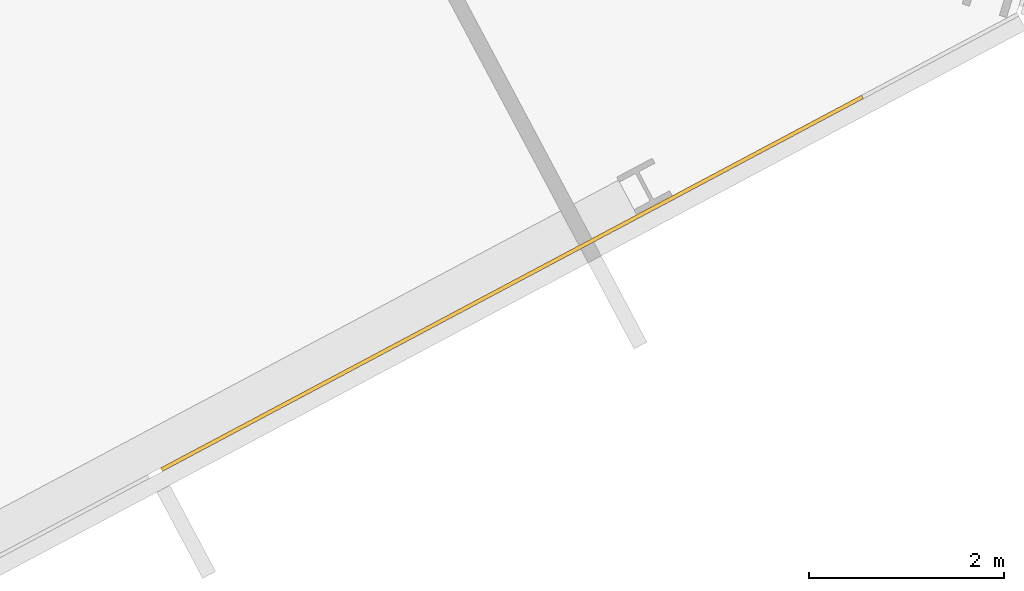
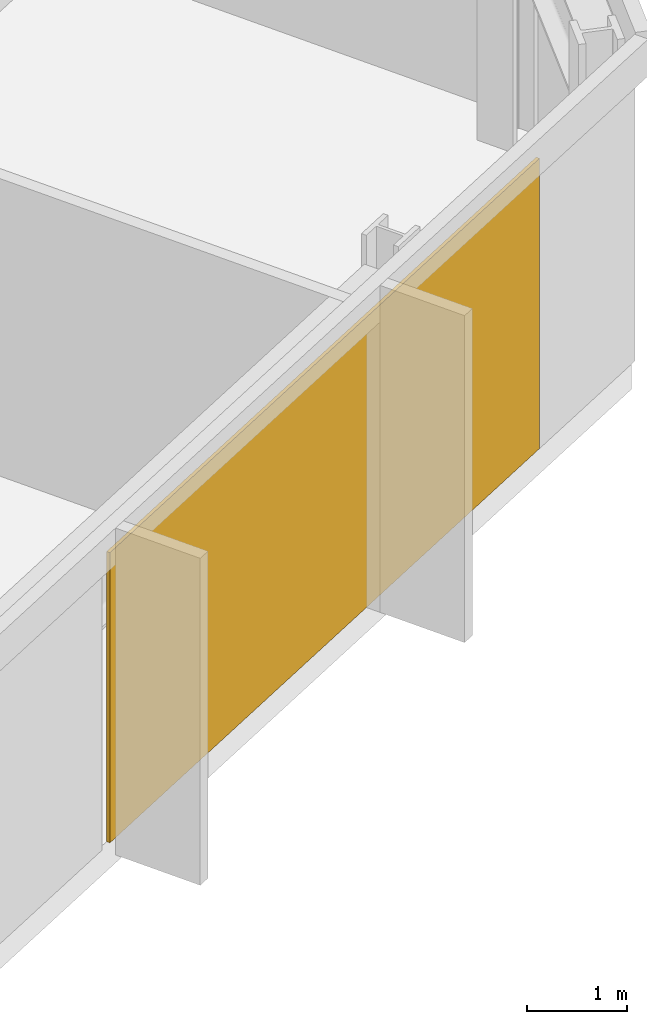
# One storey, part 26 of 28: 1 covering, 1 element without a shape of its own.
"""IFC4 building model written with IfcOpenShell, lengths in metres."""

from ifc_helpers import new_model, si_unit, direction, frame, origin, origin_2d, place, context, subcontext, project, spatial, rectangle, extrude, material, layer, layer_set, type_object, element, aggregate, save


model = new_model("IFC4")

# Units and contexts
model_context = context("Model", 3, precision=1e-05, world=origin(), true_north=direction((0.0, 1.0)))
body_context = subcontext(model_context, "Body", "Model", "MODEL_VIEW")
ifc_project = project(units=[si_unit("LENGTHUNIT", "METRE"), si_unit("AREAUNIT", "SQUARE_METRE"), si_unit("VOLUMEUNIT", "CUBIC_METRE"), si_unit("PLANEANGLEUNIT", "RADIAN"), si_unit("MASSUNIT", "GRAM", prefix="KILO")], contexts=[model_context])

# Site, building, storey
site_placement = place(None, origin())
site = spatial("IfcSite", under=ifc_project, at=site_placement, CompositionType="ELEMENT")
building_placement = place(site_placement, origin())
building = spatial("IfcBuilding", under=site, at=building_placement, Name="Cormorant Relay Tower", CompositionType="ELEMENT")
storey_placement = place(building_placement, frame((0.0, 0.0, 158.199951171875)))
storey = spatial("IfcBuildingStorey", under=building, at=storey_placement, Name="L33", CompositionType="ELEMENT", Elevation=158.199951171875)

# Curtain wall, covering
ifc_material_1 = material(Name="Aluminium 6063-T6 anodised bronze", Category="aluminium")
ifc_layer_1 = layer(ifc_material_1, 0.199951171875)
ifc_layer_set_1 = layer_set([ifc_layer_1], Name="CW1 unitised bronze curtain wall with vertical fins")
curtain_wall_type = type_object("IfcCurtainWallType", Name="CW1 unitised bronze curtain wall with vertical fins", PredefinedType="NOTDEFINED", material=ifc_layer_set_1)
curtain_wall_placement = place(storey_placement, origin())
curtain_wall = element("IfcCurtainWall", 1, at=curtain_wall_placement, inside=storey, type_object=curtain_wall_type, Name="CW1 curtain wall 4", PredefinedType="NOTDEFINED")
ifc_material_2 = material(Name="Pale bronze anodised aluminium insulated panel", Category="aluminium")
ifc_layer_2 = layer(ifc_material_2, 0.0400390625)
ifc_layer_set_2 = layer_set([ifc_layer_2], Name="CW1 pale bronze insulated panel 40")
covering_type = type_object("IfcCoveringType", Name="CW1 pale bronze insulated panel 40", PredefinedType="CLADDING", material=ifc_layer_set_2)
covering_placement = place(storey_placement, frame((50.54931640625, 5.336181640625, 0.0), z_axis=(0.0, 0.0, 1.0), x_axis=(0.882947592859, 0.469471562786, 0.0)))
covering = element("IfcCovering", 2, at=covering_placement, type_object=covering_type, Name="CW1 panel S04", PredefinedType="CLADDING", context=body_context, shape_type="SweptSolid", body=[
    extrude(rectangle(XDim=8.125, YDim=0.0400390625, at=origin_2d()), origin(), (0.0, 0.0, 1.0), 3.550048828125),
])
aggregate(curtain_wall, [covering])

save(model, "model.ifc")
